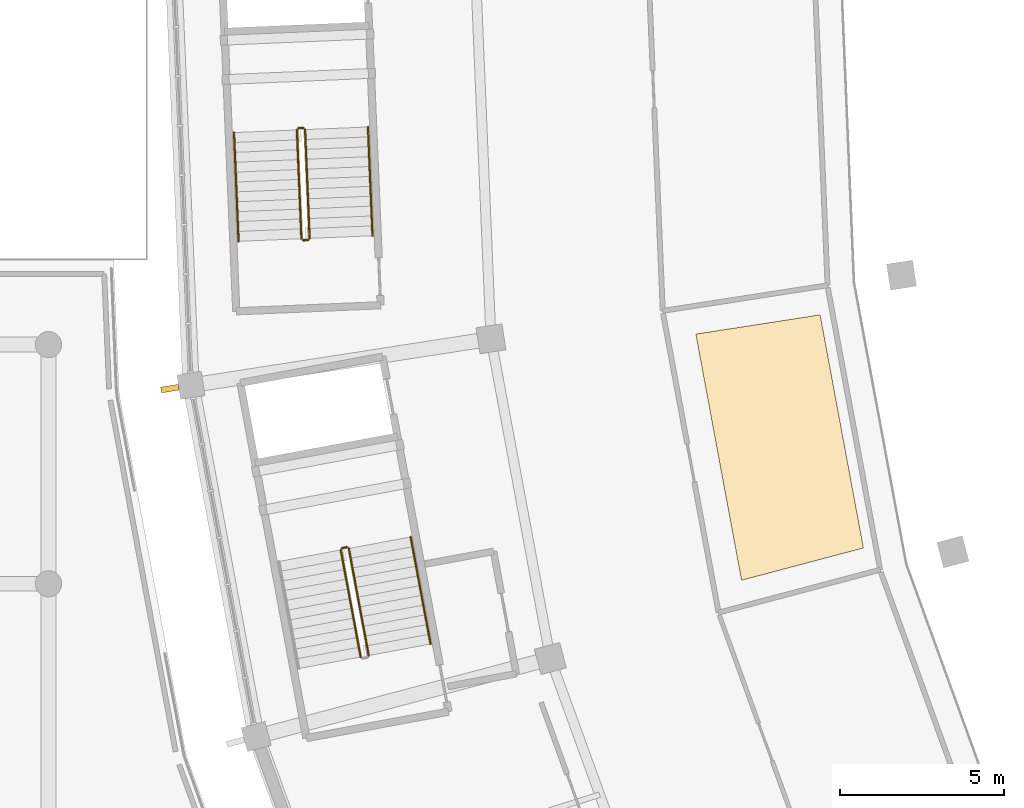
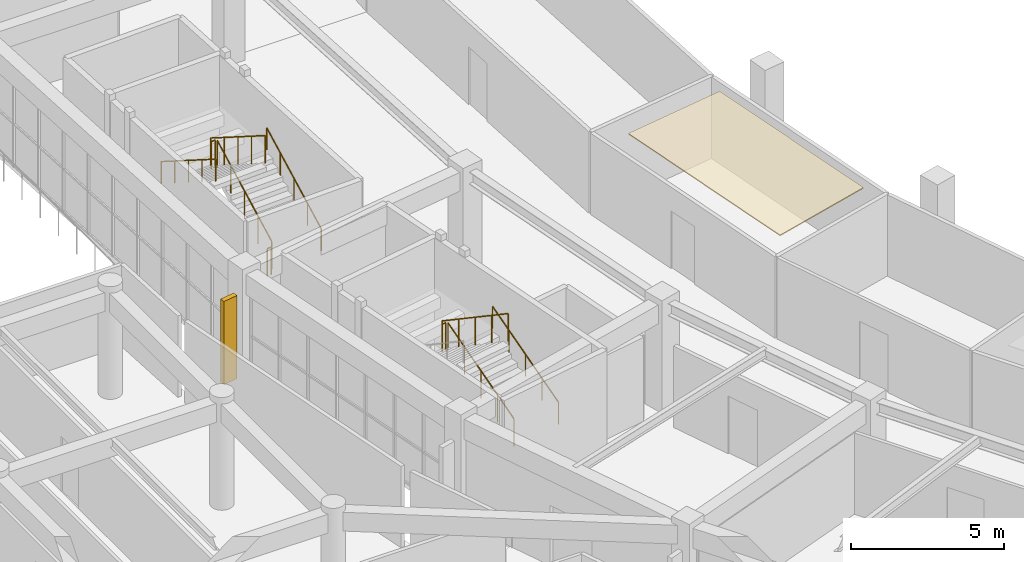
# One storey, part 120 of 141: 10 railings, 1 covering, 1 shading device.
"""IFC4 building model written with IfcOpenShell, lengths in metres."""

from ifc_helpers import new_model, si_unit, direction, frame, origin, origin_2d, place, context, subcontext, project, spatial, polyline, rectangle, circle, outline, extrude, material, layer, layer_set, type_object, element, save


model = new_model("IFC4")

# Units and contexts
model_context = context("Model", 3, precision=1e-05, world=origin(), true_north=direction((0.0, 1.0)))
body_context = subcontext(model_context, "Body", "Model", "MODEL_VIEW")
ifc_project = project(units=[si_unit("LENGTHUNIT", "METRE"), si_unit("AREAUNIT", "SQUARE_METRE"), si_unit("VOLUMEUNIT", "CUBIC_METRE"), si_unit("PLANEANGLEUNIT", "RADIAN"), si_unit("MASSUNIT", "GRAM", prefix="KILO")], contexts=[model_context])

# Site, building, storey
site_placement = place(None, origin())
site = spatial("IfcSite", under=ifc_project, at=site_placement, CompositionType="ELEMENT")
building_placement = place(site_placement, origin())
building = spatial("IfcBuilding", under=site, at=building_placement, Name="Mphavela Belvedere Stadium", CompositionType="ELEMENT")
storey_placement = place(building_placement, frame((0.0, 0.0, 14.699951171875)))
storey = spatial("IfcBuildingStorey", under=building, at=storey_placement, Name="L03", CompositionType="ELEMENT", Elevation=14.699951171875)

# Covering
ifc_material_1 = material(Name="Perforated acoustic mineral ceiling tile")
ifc_layer = layer(ifc_material_1, 0.0400390625)
ifc_layer_set = layer_set([ifc_layer], Name="Perforated acoustic mineral ceiling tile")
covering_type = type_object("IfcCoveringType", Name="COV-CEILING-ACOUSTIC", PredefinedType="CEILING", material=ifc_layer_set)
covering_placement = place(storey_placement, frame((0.0, 0.0, 3.199951171875)))
element("IfcCovering", 1, at=covering_placement, inside=storey, type_object=covering_type, Name="Concourse acoustic ceiling L03-26", PredefinedType="CEILING", context=body_context, shape_type="SweptSolid", body=[
    extrude(outline(polyline([(32.044677734375, 73.307373046875), (33.365966796875, 66.193603515625), (29.646728515625, 65.20751953125), (28.25146484375, 72.718994140625), (32.044677734375, 73.307373046875)])), origin(), (0.0, 0.0, 1.0), 0.0400390625),
])

# Railings
ifc_material_2 = material(Name="Painted galvanised steel stair guardrail", Category="steel")
railing_type_1 = type_object("IfcRailingType", Name="RAL-GUARD-1120", PredefinedType="GUARDRAIL", material=ifc_material_2)
railing_1_placement = place(storey_placement, frame((16.467041015625, 75.640625, 0.1875)))
element("IfcRailing", 2, at=railing_1_placement, inside=storey, type_object=railing_type_1, Name="L03 ST-C08 stair guard 1", PredefinedType="GUARDRAIL", context=body_context, shape_type="SweptSolid", body=[
    extrude(circle(Radius=0.02392578125, at=origin_2d()), frame((0.0, 0.0, 1.09619140625), z_axis=(-0.035589037861, 0.848829771435, 0.527467003243), x_axis=(-0.999122212945, -0.041890375975, 0.0)), (0.0, 0.0, 1.0), 3.91015625),
    extrude(circle(Radius=0.02099609375, at=origin_2d()), origin(), (0.0, 0.0, 1.0), 1.072021484375),
    extrude(circle(Radius=0.02099609375, at=origin_2d()), frame((-0.03466796875, 0.829833984375, 0.515625)), (0.0, 0.0, 1.0), 1.072021484375),
    extrude(circle(Radius=0.02099609375, at=origin_2d()), frame((-0.069580078125, 1.65966796875, 1.03125)), (0.0, 0.0, 1.0), 1.072021484375),
    extrude(circle(Radius=0.02099609375, at=origin_2d()), frame((-0.1044921875, 2.4892578125, 1.546875)), (0.0, 0.0, 1.0), 1.072021484375),
    extrude(circle(Radius=0.02099609375, at=origin_2d()), frame((-0.13916015625, 3.319091796875, 2.0625)), (0.0, 0.0, 1.0), 1.072021484375),
])
railing_2_placement = place(storey_placement, frame((16.27587890625, 79.007568359375, 2.25)))
element("IfcRailing", 3, at=railing_2_placement, inside=storey, type_object=railing_type_1, Name="L03 ST-C08 stair guard 2", PredefinedType="GUARDRAIL", context=body_context, shape_type="SweptSolid", body=[
    extrude(circle(Radius=0.02392578125, at=origin_2d()), frame((0.0, 0.0, 1.09619140625), z_axis=(-0.999104642697, -0.04230736272, 0.0), x_axis=(0.04230736272, -0.999104642697, 0.0)), (0.0, 0.0, 1.0), 0.150146484375),
    extrude(circle(Radius=0.02099609375, at=origin_2d()), origin(), (0.0, 0.0, 1.0), 1.072021484375),
    extrude(circle(Radius=0.02099609375, at=origin_2d()), frame((-0.14990234375, -0.00634765625, 0.0)), (0.0, 0.0, 1.0), 1.072021484375),
])
railing_3_placement = place(storey_placement, frame((16.078125, 78.94921875, 2.4375)))
element("IfcRailing", 4, at=railing_3_placement, inside=storey, type_object=railing_type_1, Name="L03 ST-C08 stair guard 3", PredefinedType="GUARDRAIL", context=body_context, shape_type="SweptSolid", body=[
    extrude(circle(Radius=0.02392578125, at=origin_2d()), frame((0.0, 0.0, 1.09619140625), z_axis=(0.035589037861, -0.848829771435, 0.527467003243), x_axis=(0.999122212945, 0.041890375975, 0.0)), (0.0, 0.0, 1.0), 3.91015625),
    extrude(circle(Radius=0.02099609375, at=origin_2d()), origin(), (0.0, 0.0, 1.0), 1.072021484375),
    extrude(circle(Radius=0.02099609375, at=origin_2d()), frame((0.03466796875, -0.829833984375, 0.515625)), (0.0, 0.0, 1.0), 1.072021484375),
    extrude(circle(Radius=0.02099609375, at=origin_2d()), frame((0.069580078125, -1.65966796875, 1.03125)), (0.0, 0.0, 1.0), 1.072021484375),
    extrude(circle(Radius=0.02099609375, at=origin_2d()), frame((0.1044921875, -2.4892578125, 1.546875)), (0.0, 0.0, 1.0), 1.072021484375),
    extrude(circle(Radius=0.02099609375, at=origin_2d()), frame((0.13916015625, -3.319091796875, 2.0625)), (0.0, 0.0, 1.0), 1.072021484375),
])
railing_4_placement = place(storey_placement, frame((16.419189453125, 75.58837890625, 0.0)))
element("IfcRailing", 5, at=railing_4_placement, inside=storey, type_object=railing_type_1, Name="L03 ST-C08 stair guard 4", PredefinedType="GUARDRAIL", context=body_context, shape_type="SweptSolid", body=[
    extrude(circle(Radius=0.02392578125, at=origin_2d()), frame((0.0, 0.0, 1.09619140625), z_axis=(-0.999172107982, -0.040682903419, 0.0), x_axis=(0.040682903419, -0.999172107982, 0.0)), (0.0, 0.0, 1.0), 0.150146484375),
    extrude(circle(Radius=0.02099609375, at=origin_2d()), origin(), (0.0, 0.0, 1.0), 1.072021484375),
    extrude(circle(Radius=0.02099609375, at=origin_2d()), frame((-0.14990234375, -0.006103515625, 0.0)), (0.0, 0.0, 1.0), 1.072021484375),
])
railing_5_placement = place(storey_placement, frame((18.27001953125, 62.91162109375, 0.1875)))
element("IfcRailing", 6, at=railing_5_placement, inside=storey, type_object=railing_type_1, Name="L03 ST-C09 stair guard 1", PredefinedType="GUARDRAIL", context=body_context, shape_type="SweptSolid", body=[
    extrude(circle(Radius=0.02392578125, at=origin_2d()), frame((0.0, 0.0, 1.09619140625), z_axis=(-0.155156569333, 0.835285547097, 0.527469898481), x_axis=(-0.983181950141, -0.182628729713, 0.0)), (0.0, 0.0, 1.0), 3.91015625),
    extrude(circle(Radius=0.02099609375, at=origin_2d()), origin(), (0.0, 0.0, 1.0), 1.072021484375),
    extrude(circle(Radius=0.02099609375, at=origin_2d()), frame((-0.151611328125, 0.81640625, 0.515625)), (0.0, 0.0, 1.0), 1.072021484375),
    extrude(circle(Radius=0.02099609375, at=origin_2d()), frame((-0.30322265625, 1.633056640625, 1.03125)), (0.0, 0.0, 1.0), 1.072021484375),
    extrude(circle(Radius=0.02099609375, at=origin_2d()), frame((-0.455078125, 2.44970703125, 1.546875)), (0.0, 0.0, 1.0), 1.072021484375),
    extrude(circle(Radius=0.02099609375, at=origin_2d()), frame((-0.606689453125, 3.26611328125, 2.0625)), (0.0, 0.0, 1.0), 1.072021484375),
])
railing_6_placement = place(storey_placement, frame((17.60498046875, 66.2177734375, 2.25)))
element("IfcRailing", 7, at=railing_6_placement, inside=storey, type_object=railing_type_1, Name="L03 ST-C09 stair guard 2", PredefinedType="GUARDRAIL", context=body_context, shape_type="SweptSolid", body=[
    extrude(circle(Radius=0.02392578125, at=origin_2d()), frame((0.0, 0.0, 1.09619140625), z_axis=(-0.983238797529, -0.182322426032, 0.0), x_axis=(0.182322426032, -0.983238797529, 0.0)), (0.0, 0.0, 1.0), 0.14990234375),
    extrude(circle(Radius=0.02099609375, at=origin_2d()), origin(), (0.0, 0.0, 1.0), 1.072021484375),
    extrude(circle(Radius=0.02099609375, at=origin_2d()), frame((-0.1474609375, -0.02734375, 0.0)), (0.0, 0.0, 1.0), 1.072021484375),
])
railing_7_placement = place(storey_placement, frame((17.41748046875, 66.132080078125, 2.4375)))
element("IfcRailing", 8, at=railing_7_placement, inside=storey, type_object=railing_type_1, Name="L03 ST-C09 stair guard 3", PredefinedType="GUARDRAIL", context=body_context, shape_type="SweptSolid", body=[
    extrude(circle(Radius=0.02392578125, at=origin_2d()), frame((0.0, 0.0, 1.09619140625), z_axis=(0.155156569333, -0.835285547097, 0.527469898481), x_axis=(0.983181950141, 0.182628729713, 0.0)), (0.0, 0.0, 1.0), 3.91015625),
    extrude(circle(Radius=0.02099609375, at=origin_2d()), origin(), (0.0, 0.0, 1.0), 1.072021484375),
    extrude(circle(Radius=0.02099609375, at=origin_2d()), frame((0.151611328125, -0.81640625, 0.515625)), (0.0, 0.0, 1.0), 1.072021484375),
    extrude(circle(Radius=0.02099609375, at=origin_2d()), frame((0.30322265625, -1.633056640625, 1.03125)), (0.0, 0.0, 1.0), 1.072021484375),
    extrude(circle(Radius=0.02099609375, at=origin_2d()), frame((0.455078125, -2.44970703125, 1.546875)), (0.0, 0.0, 1.0), 1.072021484375),
    extrude(circle(Radius=0.02099609375, at=origin_2d()), frame((0.606689453125, -3.26611328125, 2.0625)), (0.0, 0.0, 1.0), 1.072021484375),
])
ifc_material_3 = material(Name="Brushed stainless steel tubular handrail", Category="steel")
railing_type_2 = type_object("IfcRailingType", Name="RAL-HANDRAIL-900", PredefinedType="HANDRAIL", material=ifc_material_3)
railing_8_placement = place(storey_placement, frame((18.38525390625, 75.720947265625, 0.1875)))
element("IfcRailing", 9, at=railing_8_placement, inside=storey, type_object=railing_type_2, Name="L03 ST-C08 stair handrail 1", PredefinedType="HANDRAIL", context=body_context, shape_type="SweptSolid", body=[
    extrude(circle(Radius=0.02392578125, at=origin_2d()), frame((0.0, 0.0, 0.8759765625), z_axis=(-0.035526679826, 0.848831655946, 0.527468174287), x_axis=(-0.999125286162, -0.041817012712, 0.0)), (0.0, 0.0, 1.0), 3.91015625),
    extrude(circle(Radius=0.02099609375, at=origin_2d()), origin(), (0.0, 0.0, 1.0), 0.851806640625),
    extrude(circle(Radius=0.02099609375, at=origin_2d()), frame((-0.03466796875, 0.829833984375, 0.515625)), (0.0, 0.0, 1.0), 0.851806640625),
    extrude(circle(Radius=0.02099609375, at=origin_2d()), frame((-0.0693359375, 1.65966796875, 1.03125)), (0.0, 0.0, 1.0), 0.851806640625),
    extrude(circle(Radius=0.02099609375, at=origin_2d()), frame((-0.104248046875, 2.4892578125, 1.546875)), (0.0, 0.0, 1.0), 0.851806640625),
    extrude(circle(Radius=0.02099609375, at=origin_2d()), frame((-0.138916015625, 3.319091796875, 2.0625)), (0.0, 0.0, 1.0), 0.851806640625),
])
railing_9_placement = place(storey_placement, frame((14.159912109375, 78.86865234375, 2.4375)))
element("IfcRailing", 10, at=railing_9_placement, inside=storey, type_object=railing_type_2, Name="L03 ST-C08 stair handrail 2", PredefinedType="HANDRAIL", context=body_context, shape_type="SweptSolid", body=[
    extrude(circle(Radius=0.02392578125, at=origin_2d()), frame((0.0, 0.0, 0.8759765625), z_axis=(0.035526679826, -0.848831655946, 0.527468174287), x_axis=(0.999125286162, 0.041817012712, 0.0)), (0.0, 0.0, 1.0), 3.91015625),
    extrude(circle(Radius=0.02099609375, at=origin_2d()), origin(), (0.0, 0.0, 1.0), 0.851806640625),
    extrude(circle(Radius=0.02099609375, at=origin_2d()), frame((0.03466796875, -0.829833984375, 0.515625)), (0.0, 0.0, 1.0), 0.851806640625),
    extrude(circle(Radius=0.02099609375, at=origin_2d()), frame((0.0693359375, -1.65966796875, 1.03125)), (0.0, 0.0, 1.0), 0.851806640625),
    extrude(circle(Radius=0.02099609375, at=origin_2d()), frame((0.104248046875, -2.4892578125, 1.546875)), (0.0, 0.0, 1.0), 0.851806640625),
    extrude(circle(Radius=0.02099609375, at=origin_2d()), frame((0.138916015625, -3.319091796875, 2.0625)), (0.0, 0.0, 1.0), 0.851806640625),
])
railing_10_placement = place(storey_placement, frame((20.15771484375, 63.26220703125, 0.1875)))
element("IfcRailing", 11, at=railing_10_placement, inside=storey, type_object=railing_type_2, Name="L03 ST-C09 stair handrail 1", PredefinedType="HANDRAIL", context=body_context, shape_type="SweptSolid", body=[
    extrude(circle(Radius=0.02392578125, at=origin_2d()), frame((0.0, 0.0, 0.8759765625), z_axis=(-0.155156569333, 0.835285547097, 0.527469898481), x_axis=(-0.983181950141, -0.182628729713, 0.0)), (0.0, 0.0, 1.0), 3.91015625),
    extrude(circle(Radius=0.02099609375, at=origin_2d()), origin(), (0.0, 0.0, 1.0), 0.851806640625),
    extrude(circle(Radius=0.02099609375, at=origin_2d()), frame((-0.151611328125, 0.81640625, 0.515625)), (0.0, 0.0, 1.0), 0.851806640625),
    extrude(circle(Radius=0.02099609375, at=origin_2d()), frame((-0.30322265625, 1.633056640625, 1.03125)), (0.0, 0.0, 1.0), 0.851806640625),
    extrude(circle(Radius=0.02099609375, at=origin_2d()), frame((-0.455078125, 2.44970703125, 1.546875)), (0.0, 0.0, 1.0), 0.851806640625),
    extrude(circle(Radius=0.02099609375, at=origin_2d()), frame((-0.606689453125, 3.26611328125, 2.0625)), (0.0, 0.0, 1.0), 0.851806640625),
])

# Shading device
ifc_material_4 = material(Name="Honed limestone and bronze vertical brise-soleil fin", Category="masonry")
shading_device_type = type_object("IfcShadingDeviceType", Name="SHD-SOLAR-FIN", PredefinedType="USERDEFINED", material=ifc_material_4)
shading_device_placement = place(storey_placement, frame((12.204345703125, 71.0556640625, 0.0), z_axis=(0.0, 0.0, 1.0), x_axis=(-0.98817491911, -0.153330783737, 0.0)))
element("IfcShadingDevice", 12, at=shading_device_placement, inside=storey, type_object=shading_device_type, Name="Classical vertical solar brise-soleil fin L03-26", ObjectType="SOLAR FIN", PredefinedType="USERDEFINED", context=body_context, shape_type="SweptSolid", body=[
    extrude(rectangle(XDim=0.550048828125, YDim=0.179931640625, at=origin_2d()), origin(), (0.0, 0.0, 1.0), 3.320068359375),
])

save(model, "model.ifc")
